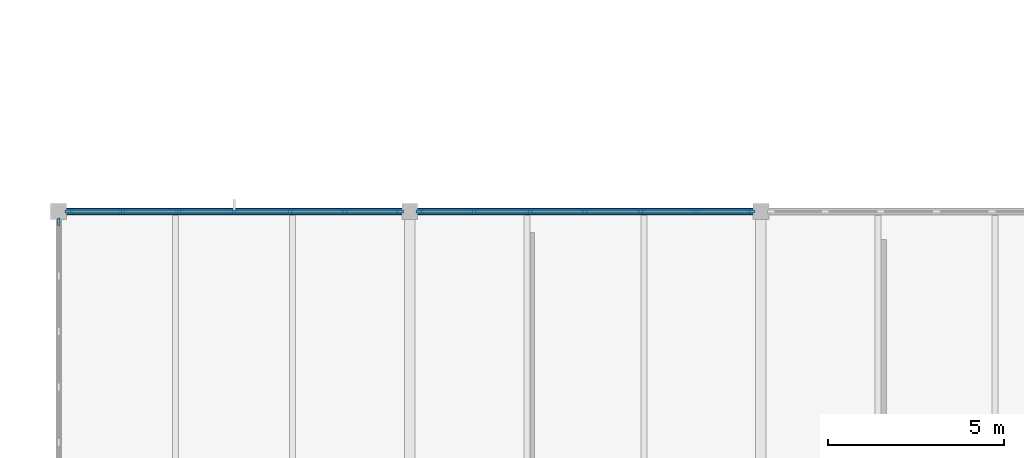
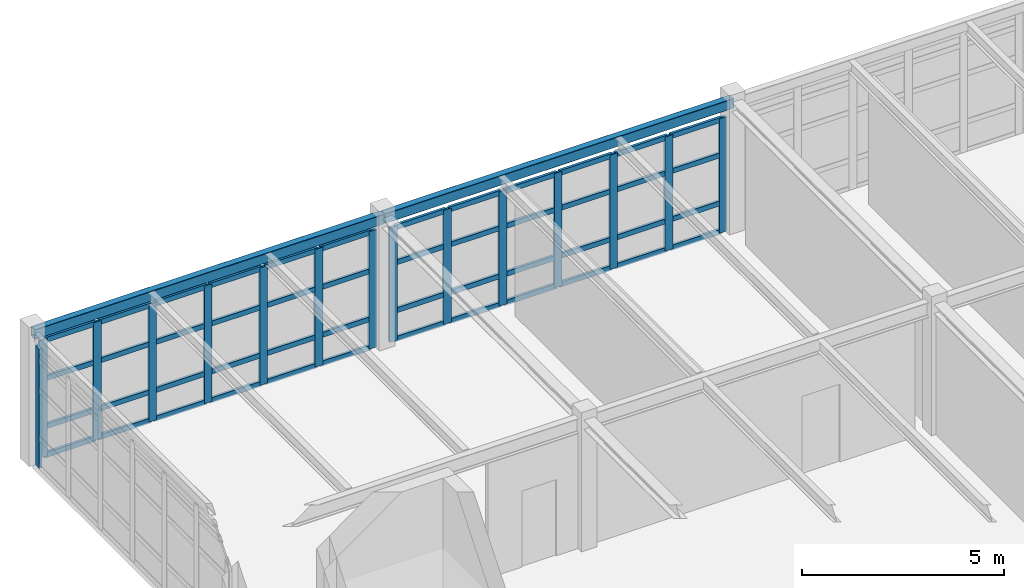
# One storey, part 49 of 122: 63 members, 2 beams, 3 elements without a shape of their own.
"""IFC4 building model written with IfcOpenShell, lengths in metres."""

from ifc_helpers import new_model, si_unit, direction, frame, origin, origin_2d, place, context, subcontext, project, spatial, rectangle, hollow_rectangle, extrude, material, layer, layer_set, material_profile, profile_set, type_object, element, aggregate, save


model = new_model("IFC4")

# Units and contexts
model_context = context("Model", 3, precision=1e-05, world=origin(), true_north=direction((0.0, 1.0)))
body_context = subcontext(model_context, "Body", "Model", "MODEL_VIEW")
ifc_project = project(units=[si_unit("LENGTHUNIT", "METRE"), si_unit("AREAUNIT", "SQUARE_METRE"), si_unit("VOLUMEUNIT", "CUBIC_METRE"), si_unit("PLANEANGLEUNIT", "RADIAN"), si_unit("MASSUNIT", "GRAM", prefix="KILO"), si_unit("THERMODYNAMICTEMPERATUREUNIT", "KELVIN"), si_unit("POWERUNIT", "WATT")], contexts=[model_context])

# Site, building, storey
site_placement = place(None, origin())
site = spatial("IfcSite", under=ifc_project, at=site_placement, CompositionType="ELEMENT")
building_placement = place(site_placement, origin())
building = spatial("IfcBuilding", under=site, at=building_placement, Name="Korenveer Ferry Terminal", CompositionType="ELEMENT")
storey_placement = place(building_placement, frame((0.0, 0.0, 10.199951171875)))
storey = spatial("IfcBuildingStorey", under=building, at=storey_placement, Name="L02", CompositionType="ELEMENT", Elevation=10.199951171875)

# Curtain wall, members
ifc_material_1 = material(Name="Unitised bronze-and-glass curtain wall", Category="glass")
ifc_layer_1 = layer(ifc_material_1, 0.219970703125)
ifc_layer_set_1 = layer_set([ifc_layer_1], Name="Unitised bronze-and-glass curtain wall")
curtain_wall_type_1 = type_object("IfcCurtainWallType", Name="ENV-CW-94", PredefinedType="USERDEFINED", material=ifc_layer_set_1)
curtain_wall_1_placement = place(storey_placement, frame((0.2548828125, 80.0, 0.0)))
curtain_wall_1 = element("IfcCurtainWall", 1, at=curtain_wall_1_placement, inside=storey, type_object=curtain_wall_type_1, Name="Lancet curtain wall CWX-L02-X0-10-Y80-80", ObjectType="UNITISED CURTAIN WALL", PredefinedType="USERDEFINED")
ifc_material_2 = material(Name="Anodised bronze aluminium", Category="aluminium")
ifc_material_profile_1 = material_profile(ifc_material_2, rectangle(XDim=0.074951171875, YDim=0.219970703125, at=origin_2d()), Name="ALU 75x220")
ifc_profile_set_1 = profile_set([ifc_material_profile_1], Name="Anodised bronze aluminium")
member_type_1 = type_object("IfcMemberType", Name="ENV-CWM-75X220", PredefinedType="MULLION", material=ifc_profile_set_1)
member_1_placement = place(storey_placement, frame((0.29248046875, 80.0, 0.0), z_axis=(0.0, 0.0, 1.0), x_axis=(0.0, 1.0, 0.0)))
member_1 = element("IfcMember", 2, at=member_1_placement, type_object=member_type_1, Name="CW-94 mullion 1", PredefinedType="MULLION", context=body_context, shape_type="SweptSolid", body=[
    extrude(rectangle(XDim=0.074951171875, YDim=0.219970703125, at=origin_2d()), origin(), (0.0, 0.0, 1.0), 3.550048828125),
])
member_2_placement = place(storey_placement, frame((1.836669921875, 80.0, 0.0), z_axis=(0.0, 0.0, 1.0), x_axis=(0.0, 1.0, 0.0)))
member_2 = element("IfcMember", 3, at=member_2_placement, type_object=member_type_1, Name="CW-94 mullion 2", PredefinedType="MULLION", context=body_context, shape_type="SweptSolid", body=[
    extrude(rectangle(XDim=0.074951171875, YDim=0.219970703125, at=origin_2d()), origin(), (0.0, 0.0, 1.0), 3.550048828125),
])
member_3_placement = place(storey_placement, frame((3.418212890625, 80.0, 0.0), z_axis=(0.0, 0.0, 1.0), x_axis=(0.0, 1.0, 0.0)))
member_3 = element("IfcMember", 4, at=member_3_placement, type_object=member_type_1, Name="CW-94 mullion 3", PredefinedType="MULLION", context=body_context, shape_type="SweptSolid", body=[
    extrude(rectangle(XDim=0.074951171875, YDim=0.219970703125, at=origin_2d()), origin(), (0.0, 0.0, 1.0), 3.550048828125),
])
member_4_placement = place(storey_placement, frame((5.0, 80.0, 0.0), z_axis=(0.0, 0.0, 1.0), x_axis=(0.0, 1.0, 0.0)))
member_4 = element("IfcMember", 5, at=member_4_placement, type_object=member_type_1, Name="CW-94 mullion 4", PredefinedType="MULLION", context=body_context, shape_type="SweptSolid", body=[
    extrude(rectangle(XDim=0.074951171875, YDim=0.219970703125, at=origin_2d()), origin(), (0.0, 0.0, 1.0), 3.550048828125),
])
member_5_placement = place(storey_placement, frame((6.581787109375, 80.0, 0.0), z_axis=(0.0, 0.0, 1.0), x_axis=(0.0, 1.0, 0.0)))
member_5 = element("IfcMember", 6, at=member_5_placement, type_object=member_type_1, Name="CW-94 mullion 5", PredefinedType="MULLION", context=body_context, shape_type="SweptSolid", body=[
    extrude(rectangle(XDim=0.074951171875, YDim=0.219970703125, at=origin_2d()), origin(), (0.0, 0.0, 1.0), 3.550048828125),
])
member_6_placement = place(storey_placement, frame((8.163330078125, 80.0, 0.0), z_axis=(0.0, 0.0, 1.0), x_axis=(0.0, 1.0, 0.0)))
member_6 = element("IfcMember", 7, at=member_6_placement, type_object=member_type_1, Name="CW-94 mullion 6", PredefinedType="MULLION", context=body_context, shape_type="SweptSolid", body=[
    extrude(rectangle(XDim=0.074951171875, YDim=0.219970703125, at=origin_2d()), origin(), (0.0, 0.0, 1.0), 3.550048828125),
])
member_7_placement = place(storey_placement, frame((9.70751953125, 80.0, 0.0), z_axis=(0.0, 0.0, 1.0), x_axis=(0.0, 1.0, 0.0)))
member_7 = element("IfcMember", 8, at=member_7_placement, type_object=member_type_1, Name="CW-94 mullion 7", PredefinedType="MULLION", context=body_context, shape_type="SweptSolid", body=[
    extrude(rectangle(XDim=0.074951171875, YDim=0.219970703125, at=origin_2d()), origin(), (0.0, 0.0, 1.0), 3.550048828125),
])

ifc_layer_2 = layer(ifc_material_1, 0.219970703125)
ifc_layer_set_2 = layer_set([ifc_layer_2], Name="Unitised bronze-and-glass curtain wall")
curtain_wall_type_2 = type_object("IfcCurtainWallType", Name="ENV-CW-95", PredefinedType="USERDEFINED", material=ifc_layer_set_2)
curtain_wall_2_placement = place(storey_placement, frame((10.2548828125, 80.0, 0.0)))
curtain_wall_2 = element("IfcCurtainWall", 9, at=curtain_wall_2_placement, inside=storey, type_object=curtain_wall_type_2, Name="Lancet curtain wall CWX-L02-X10-20-Y80-80", ObjectType="UNITISED CURTAIN WALL", PredefinedType="USERDEFINED")
member_8_placement = place(storey_placement, frame((10.29248046875, 80.0, 0.0), z_axis=(0.0, 0.0, 1.0), x_axis=(0.0, 1.0, 0.0)))
member_8 = element("IfcMember", 10, at=member_8_placement, type_object=member_type_1, Name="CW-95 mullion 1", PredefinedType="MULLION", context=body_context, shape_type="SweptSolid", body=[
    extrude(rectangle(XDim=0.074951171875, YDim=0.219970703125, at=origin_2d()), origin(), (0.0, 0.0, 1.0), 3.449951171875),
])
member_9_placement = place(storey_placement, frame((11.836669921875, 80.0, 0.0), z_axis=(0.0, 0.0, 1.0), x_axis=(0.0, 1.0, 0.0)))
member_9 = element("IfcMember", 11, at=member_9_placement, type_object=member_type_1, Name="CW-95 mullion 2", PredefinedType="MULLION", context=body_context, shape_type="SweptSolid", body=[
    extrude(rectangle(XDim=0.074951171875, YDim=0.219970703125, at=origin_2d()), origin(), (0.0, 0.0, 1.0), 3.449951171875),
])
member_10_placement = place(storey_placement, frame((13.418212890625, 80.0, 0.0), z_axis=(0.0, 0.0, 1.0), x_axis=(0.0, 1.0, 0.0)))
member_10 = element("IfcMember", 12, at=member_10_placement, type_object=member_type_1, Name="CW-95 mullion 3", PredefinedType="MULLION", context=body_context, shape_type="SweptSolid", body=[
    extrude(rectangle(XDim=0.074951171875, YDim=0.219970703125, at=origin_2d()), origin(), (0.0, 0.0, 1.0), 3.449951171875),
])
member_11_placement = place(storey_placement, frame((15.0, 80.0, 0.0), z_axis=(0.0, 0.0, 1.0), x_axis=(0.0, 1.0, 0.0)))
member_11 = element("IfcMember", 13, at=member_11_placement, type_object=member_type_1, Name="CW-95 mullion 4", PredefinedType="MULLION", context=body_context, shape_type="SweptSolid", body=[
    extrude(rectangle(XDim=0.074951171875, YDim=0.219970703125, at=origin_2d()), origin(), (0.0, 0.0, 1.0), 3.449951171875),
])
member_12_placement = place(storey_placement, frame((16.581787109375, 80.0, 0.0), z_axis=(0.0, 0.0, 1.0), x_axis=(0.0, 1.0, 0.0)))
member_12 = element("IfcMember", 14, at=member_12_placement, type_object=member_type_1, Name="CW-95 mullion 5", PredefinedType="MULLION", context=body_context, shape_type="SweptSolid", body=[
    extrude(rectangle(XDim=0.074951171875, YDim=0.219970703125, at=origin_2d()), origin(), (0.0, 0.0, 1.0), 3.449951171875),
])
member_13_placement = place(storey_placement, frame((18.163330078125, 80.0, 0.0), z_axis=(0.0, 0.0, 1.0), x_axis=(0.0, 1.0, 0.0)))
member_13 = element("IfcMember", 15, at=member_13_placement, type_object=member_type_1, Name="CW-95 mullion 6", PredefinedType="MULLION", context=body_context, shape_type="SweptSolid", body=[
    extrude(rectangle(XDim=0.074951171875, YDim=0.219970703125, at=origin_2d()), origin(), (0.0, 0.0, 1.0), 3.449951171875),
])
member_14_placement = place(storey_placement, frame((19.70751953125, 80.0, 0.0), z_axis=(0.0, 0.0, 1.0), x_axis=(0.0, 1.0, 0.0)))
member_14 = element("IfcMember", 16, at=member_14_placement, type_object=member_type_1, Name="CW-95 mullion 7", PredefinedType="MULLION", context=body_context, shape_type="SweptSolid", body=[
    extrude(rectangle(XDim=0.074951171875, YDim=0.219970703125, at=origin_2d()), origin(), (0.0, 0.0, 1.0), 3.449951171875),
])

# Curtain wall, member
ifc_layer_3 = layer(ifc_material_1, 0.219970703125)
ifc_layer_set_3 = layer_set([ifc_layer_3], Name="Unitised bronze-and-glass curtain wall")
curtain_wall_type_3 = type_object("IfcCurtainWallType", Name="ENV-CW-107", PredefinedType="USERDEFINED", material=ifc_layer_set_3)
curtain_wall_3_placement = place(storey_placement, frame((0.0, 70.2548828125, 0.0)))
curtain_wall_3 = element("IfcCurtainWall", 17, at=curtain_wall_3_placement, inside=storey, type_object=curtain_wall_type_3, Name="Lancet curtain wall CWX-L02-X0-0-Y70-80", ObjectType="UNITISED CURTAIN WALL", PredefinedType="USERDEFINED")
member_15_placement = place(storey_placement, frame((0.0, 79.70751953125, 0.0), z_axis=(0.0, 0.0, 1.0), x_axis=(-1.0, 0.0, 0.0)))
member_15 = element("IfcMember", 18, at=member_15_placement, type_object=member_type_1, Name="CW-107 mullion 7", PredefinedType="MULLION", context=body_context, shape_type="SweptSolid", body=[
    extrude(rectangle(XDim=0.074951171875, YDim=0.219970703125, at=origin_2d()), origin(), (0.0, 0.0, 1.0), 3.60009765625),
])
aggregate(curtain_wall_3, [member_15])

# Member
ifc_material_profile_2 = material_profile(ifc_material_2, rectangle(XDim=0.074951171875, YDim=0.14990234375, at=origin_2d()), Name="ALU 75x150")
ifc_profile_set_2 = profile_set([ifc_material_profile_2], Name="Anodised bronze aluminium")
member_type_2 = type_object("IfcMemberType", Name="ENV-CWT-75X150", PredefinedType="USERDEFINED", material=ifc_profile_set_2)
member_16_placement = place(storey_placement, frame((0.330078125, 80.0, 0.03759765625), z_axis=(1.0, 0.0, 0.0), x_axis=(0.0, 1.0, 0.0)))
member_16 = element("IfcMember", 19, at=member_16_placement, type_object=member_type_2, Name="CW-94 transom 1.1", ObjectType="TRANSOM", PredefinedType="USERDEFINED", context=body_context, shape_type="SweptSolid", body=[
    extrude(rectangle(XDim=0.074951171875, YDim=0.14990234375, at=origin_2d()), origin(), (0.0, 0.0, 1.0), 1.468994140625),
])

member_17_placement = place(storey_placement, frame((0.330078125, 80.0, 0.900146484375), z_axis=(1.0, 0.0, 0.0), x_axis=(0.0, 1.0, 0.0)))
member_17 = element("IfcMember", 20, at=member_17_placement, type_object=member_type_2, Name="CW-94 transom 1.2", ObjectType="TRANSOM", PredefinedType="USERDEFINED", context=body_context, shape_type="SweptSolid", body=[
    extrude(rectangle(XDim=0.074951171875, YDim=0.14990234375, at=origin_2d()), origin(), (0.0, 0.0, 1.0), 1.468994140625),
])

member_18_placement = place(storey_placement, frame((0.330078125, 80.0, 2.35009765625), z_axis=(1.0, 0.0, 0.0), x_axis=(0.0, 1.0, 0.0)))
member_18 = element("IfcMember", 21, at=member_18_placement, type_object=member_type_2, Name="CW-94 transom 1.3", ObjectType="TRANSOM", PredefinedType="USERDEFINED", context=body_context, shape_type="SweptSolid", body=[
    extrude(rectangle(XDim=0.074951171875, YDim=0.14990234375, at=origin_2d()), origin(), (0.0, 0.0, 1.0), 1.468994140625),
])

member_19_placement = place(storey_placement, frame((0.330078125, 80.0, 3.512451171875), z_axis=(1.0, 0.0, 0.0), x_axis=(0.0, 1.0, 0.0)))
member_19 = element("IfcMember", 22, at=member_19_placement, type_object=member_type_2, Name="CW-94 transom 1.4", ObjectType="TRANSOM", PredefinedType="USERDEFINED", context=body_context, shape_type="SweptSolid", body=[
    extrude(rectangle(XDim=0.074951171875, YDim=0.14990234375, at=origin_2d()), origin(), (0.0, 0.0, 1.0), 1.468994140625),
])

member_20_placement = place(storey_placement, frame((1.874267578125, 80.0, 0.03759765625), z_axis=(1.0, 0.0, 0.0), x_axis=(0.0, 1.0, 0.0)))
member_20 = element("IfcMember", 23, at=member_20_placement, type_object=member_type_2, Name="CW-94 transom 2.1", ObjectType="TRANSOM", PredefinedType="USERDEFINED", context=body_context, shape_type="SweptSolid", body=[
    extrude(rectangle(XDim=0.074951171875, YDim=0.14990234375, at=origin_2d()), origin(), (0.0, 0.0, 1.0), 1.506591796875),
])

member_21_placement = place(storey_placement, frame((1.874267578125, 80.0, 0.900146484375), z_axis=(1.0, 0.0, 0.0), x_axis=(0.0, 1.0, 0.0)))
member_21 = element("IfcMember", 24, at=member_21_placement, type_object=member_type_2, Name="CW-94 transom 2.2", ObjectType="TRANSOM", PredefinedType="USERDEFINED", context=body_context, shape_type="SweptSolid", body=[
    extrude(rectangle(XDim=0.074951171875, YDim=0.14990234375, at=origin_2d()), origin(), (0.0, 0.0, 1.0), 1.506591796875),
])

member_22_placement = place(storey_placement, frame((1.874267578125, 80.0, 2.35009765625), z_axis=(1.0, 0.0, 0.0), x_axis=(0.0, 1.0, 0.0)))
member_22 = element("IfcMember", 25, at=member_22_placement, type_object=member_type_2, Name="CW-94 transom 2.3", ObjectType="TRANSOM", PredefinedType="USERDEFINED", context=body_context, shape_type="SweptSolid", body=[
    extrude(rectangle(XDim=0.074951171875, YDim=0.14990234375, at=origin_2d()), origin(), (0.0, 0.0, 1.0), 1.506591796875),
])

member_23_placement = place(storey_placement, frame((1.874267578125, 80.0, 3.512451171875), z_axis=(1.0, 0.0, 0.0), x_axis=(0.0, 1.0, 0.0)))
member_23 = element("IfcMember", 26, at=member_23_placement, type_object=member_type_2, Name="CW-94 transom 2.4", ObjectType="TRANSOM", PredefinedType="USERDEFINED", context=body_context, shape_type="SweptSolid", body=[
    extrude(rectangle(XDim=0.074951171875, YDim=0.14990234375, at=origin_2d()), origin(), (0.0, 0.0, 1.0), 1.506591796875),
])

member_24_placement = place(storey_placement, frame((3.455810546875, 80.0, 0.03759765625), z_axis=(1.0, 0.0, 0.0), x_axis=(0.0, 1.0, 0.0)))
member_24 = element("IfcMember", 27, at=member_24_placement, type_object=member_type_2, Name="CW-94 transom 3.1", ObjectType="TRANSOM", PredefinedType="USERDEFINED", context=body_context, shape_type="SweptSolid", body=[
    extrude(rectangle(XDim=0.074951171875, YDim=0.14990234375, at=origin_2d()), origin(), (0.0, 0.0, 1.0), 1.506591796875),
])

member_25_placement = place(storey_placement, frame((3.455810546875, 80.0, 0.900146484375), z_axis=(1.0, 0.0, 0.0), x_axis=(0.0, 1.0, 0.0)))
member_25 = element("IfcMember", 28, at=member_25_placement, type_object=member_type_2, Name="CW-94 transom 3.2", ObjectType="TRANSOM", PredefinedType="USERDEFINED", context=body_context, shape_type="SweptSolid", body=[
    extrude(rectangle(XDim=0.074951171875, YDim=0.14990234375, at=origin_2d()), origin(), (0.0, 0.0, 1.0), 1.506591796875),
])

member_26_placement = place(storey_placement, frame((3.455810546875, 80.0, 2.35009765625), z_axis=(1.0, 0.0, 0.0), x_axis=(0.0, 1.0, 0.0)))
member_26 = element("IfcMember", 29, at=member_26_placement, type_object=member_type_2, Name="CW-94 transom 3.3", ObjectType="TRANSOM", PredefinedType="USERDEFINED", context=body_context, shape_type="SweptSolid", body=[
    extrude(rectangle(XDim=0.074951171875, YDim=0.14990234375, at=origin_2d()), origin(), (0.0, 0.0, 1.0), 1.506591796875),
])

member_27_placement = place(storey_placement, frame((3.455810546875, 80.0, 3.512451171875), z_axis=(1.0, 0.0, 0.0), x_axis=(0.0, 1.0, 0.0)))
member_27 = element("IfcMember", 30, at=member_27_placement, type_object=member_type_2, Name="CW-94 transom 3.4", ObjectType="TRANSOM", PredefinedType="USERDEFINED", context=body_context, shape_type="SweptSolid", body=[
    extrude(rectangle(XDim=0.074951171875, YDim=0.14990234375, at=origin_2d()), origin(), (0.0, 0.0, 1.0), 1.506591796875),
])

member_28_placement = place(storey_placement, frame((5.03759765625, 80.0, 0.03759765625), z_axis=(1.0, 0.0, 0.0), x_axis=(0.0, 1.0, 0.0)))
member_28 = element("IfcMember", 31, at=member_28_placement, type_object=member_type_2, Name="CW-94 transom 4.1", ObjectType="TRANSOM", PredefinedType="USERDEFINED", context=body_context, shape_type="SweptSolid", body=[
    extrude(rectangle(XDim=0.074951171875, YDim=0.14990234375, at=origin_2d()), origin(), (0.0, 0.0, 1.0), 1.506591796875),
])

member_29_placement = place(storey_placement, frame((5.03759765625, 80.0, 0.900146484375), z_axis=(1.0, 0.0, 0.0), x_axis=(0.0, 1.0, 0.0)))
member_29 = element("IfcMember", 32, at=member_29_placement, type_object=member_type_2, Name="CW-94 transom 4.2", ObjectType="TRANSOM", PredefinedType="USERDEFINED", context=body_context, shape_type="SweptSolid", body=[
    extrude(rectangle(XDim=0.074951171875, YDim=0.14990234375, at=origin_2d()), origin(), (0.0, 0.0, 1.0), 1.506591796875),
])

member_30_placement = place(storey_placement, frame((5.03759765625, 80.0, 2.35009765625), z_axis=(1.0, 0.0, 0.0), x_axis=(0.0, 1.0, 0.0)))
member_30 = element("IfcMember", 33, at=member_30_placement, type_object=member_type_2, Name="CW-94 transom 4.3", ObjectType="TRANSOM", PredefinedType="USERDEFINED", context=body_context, shape_type="SweptSolid", body=[
    extrude(rectangle(XDim=0.074951171875, YDim=0.14990234375, at=origin_2d()), origin(), (0.0, 0.0, 1.0), 1.506591796875),
])

member_31_placement = place(storey_placement, frame((5.03759765625, 80.0, 3.512451171875), z_axis=(1.0, 0.0, 0.0), x_axis=(0.0, 1.0, 0.0)))
member_31 = element("IfcMember", 34, at=member_31_placement, type_object=member_type_2, Name="CW-94 transom 4.4", ObjectType="TRANSOM", PredefinedType="USERDEFINED", context=body_context, shape_type="SweptSolid", body=[
    extrude(rectangle(XDim=0.074951171875, YDim=0.14990234375, at=origin_2d()), origin(), (0.0, 0.0, 1.0), 1.506591796875),
])

member_32_placement = place(storey_placement, frame((6.619140625, 80.0, 0.03759765625), z_axis=(1.0, 0.0, 0.0), x_axis=(0.0, 1.0, 0.0)))
member_32 = element("IfcMember", 35, at=member_32_placement, type_object=member_type_2, Name="CW-94 transom 5.1", ObjectType="TRANSOM", PredefinedType="USERDEFINED", context=body_context, shape_type="SweptSolid", body=[
    extrude(rectangle(XDim=0.074951171875, YDim=0.14990234375, at=origin_2d()), origin(), (0.0, 0.0, 1.0), 1.506591796875),
])

member_33_placement = place(storey_placement, frame((6.619140625, 80.0, 0.900146484375), z_axis=(1.0, 0.0, 0.0), x_axis=(0.0, 1.0, 0.0)))
member_33 = element("IfcMember", 36, at=member_33_placement, type_object=member_type_2, Name="CW-94 transom 5.2", ObjectType="TRANSOM", PredefinedType="USERDEFINED", context=body_context, shape_type="SweptSolid", body=[
    extrude(rectangle(XDim=0.074951171875, YDim=0.14990234375, at=origin_2d()), origin(), (0.0, 0.0, 1.0), 1.506591796875),
])

member_34_placement = place(storey_placement, frame((6.619140625, 80.0, 2.35009765625), z_axis=(1.0, 0.0, 0.0), x_axis=(0.0, 1.0, 0.0)))
member_34 = element("IfcMember", 37, at=member_34_placement, type_object=member_type_2, Name="CW-94 transom 5.3", ObjectType="TRANSOM", PredefinedType="USERDEFINED", context=body_context, shape_type="SweptSolid", body=[
    extrude(rectangle(XDim=0.074951171875, YDim=0.14990234375, at=origin_2d()), origin(), (0.0, 0.0, 1.0), 1.506591796875),
])

member_35_placement = place(storey_placement, frame((6.619140625, 80.0, 3.512451171875), z_axis=(1.0, 0.0, 0.0), x_axis=(0.0, 1.0, 0.0)))
member_35 = element("IfcMember", 38, at=member_35_placement, type_object=member_type_2, Name="CW-94 transom 5.4", ObjectType="TRANSOM", PredefinedType="USERDEFINED", context=body_context, shape_type="SweptSolid", body=[
    extrude(rectangle(XDim=0.074951171875, YDim=0.14990234375, at=origin_2d()), origin(), (0.0, 0.0, 1.0), 1.506591796875),
])

member_36_placement = place(storey_placement, frame((8.200927734375, 80.0, 0.03759765625), z_axis=(1.0, 0.0, 0.0), x_axis=(0.0, 1.0, 0.0)))
member_36 = element("IfcMember", 39, at=member_36_placement, type_object=member_type_2, Name="CW-94 transom 6.1", ObjectType="TRANSOM", PredefinedType="USERDEFINED", context=body_context, shape_type="SweptSolid", body=[
    extrude(rectangle(XDim=0.074951171875, YDim=0.14990234375, at=origin_2d()), origin(), (0.0, 0.0, 1.0), 1.468994140625),
])

member_37_placement = place(storey_placement, frame((8.200927734375, 80.0, 0.900146484375), z_axis=(1.0, 0.0, 0.0), x_axis=(0.0, 1.0, 0.0)))
member_37 = element("IfcMember", 40, at=member_37_placement, type_object=member_type_2, Name="CW-94 transom 6.2", ObjectType="TRANSOM", PredefinedType="USERDEFINED", context=body_context, shape_type="SweptSolid", body=[
    extrude(rectangle(XDim=0.074951171875, YDim=0.14990234375, at=origin_2d()), origin(), (0.0, 0.0, 1.0), 1.468994140625),
])

member_38_placement = place(storey_placement, frame((8.200927734375, 80.0, 2.35009765625), z_axis=(1.0, 0.0, 0.0), x_axis=(0.0, 1.0, 0.0)))
member_38 = element("IfcMember", 41, at=member_38_placement, type_object=member_type_2, Name="CW-94 transom 6.3", ObjectType="TRANSOM", PredefinedType="USERDEFINED", context=body_context, shape_type="SweptSolid", body=[
    extrude(rectangle(XDim=0.074951171875, YDim=0.14990234375, at=origin_2d()), origin(), (0.0, 0.0, 1.0), 1.468994140625),
])

member_39_placement = place(storey_placement, frame((8.200927734375, 80.0, 3.512451171875), z_axis=(1.0, 0.0, 0.0), x_axis=(0.0, 1.0, 0.0)))
member_39 = element("IfcMember", 42, at=member_39_placement, type_object=member_type_2, Name="CW-94 transom 6.4", ObjectType="TRANSOM", PredefinedType="USERDEFINED", context=body_context, shape_type="SweptSolid", body=[
    extrude(rectangle(XDim=0.074951171875, YDim=0.14990234375, at=origin_2d()), origin(), (0.0, 0.0, 1.0), 1.468994140625),
])

aggregate(curtain_wall_1, [member_1, member_2, member_3, member_4, member_5, member_6, member_7, member_16, member_17, member_18, member_19, member_20, member_21, member_22, member_23, member_24, member_25, member_26, member_27, member_28, member_29, member_30, member_31, member_32, member_33, member_34, member_35, member_36, member_37, member_38, member_39])

member_40_placement = place(storey_placement, frame((10.330078125, 80.0, 0.03759765625), z_axis=(1.0, 0.0, 0.0), x_axis=(0.0, 1.0, 0.0)))
member_40 = element("IfcMember", 43, at=member_40_placement, type_object=member_type_2, Name="CW-95 transom 1.1", ObjectType="TRANSOM", PredefinedType="USERDEFINED", context=body_context, shape_type="SweptSolid", body=[
    extrude(rectangle(XDim=0.074951171875, YDim=0.14990234375, at=origin_2d()), origin(), (0.0, 0.0, 1.0), 1.468994140625),
])

member_41_placement = place(storey_placement, frame((10.330078125, 80.0, 0.900146484375), z_axis=(1.0, 0.0, 0.0), x_axis=(0.0, 1.0, 0.0)))
member_41 = element("IfcMember", 44, at=member_41_placement, type_object=member_type_2, Name="CW-95 transom 1.2", ObjectType="TRANSOM", PredefinedType="USERDEFINED", context=body_context, shape_type="SweptSolid", body=[
    extrude(rectangle(XDim=0.074951171875, YDim=0.14990234375, at=origin_2d()), origin(), (0.0, 0.0, 1.0), 1.468994140625),
])

member_42_placement = place(storey_placement, frame((10.330078125, 80.0, 2.35009765625), z_axis=(1.0, 0.0, 0.0), x_axis=(0.0, 1.0, 0.0)))
member_42 = element("IfcMember", 45, at=member_42_placement, type_object=member_type_2, Name="CW-95 transom 1.3", ObjectType="TRANSOM", PredefinedType="USERDEFINED", context=body_context, shape_type="SweptSolid", body=[
    extrude(rectangle(XDim=0.074951171875, YDim=0.14990234375, at=origin_2d()), origin(), (0.0, 0.0, 1.0), 1.468994140625),
])

member_43_placement = place(storey_placement, frame((10.330078125, 80.0, 3.41259765625), z_axis=(1.0, 0.0, 0.0), x_axis=(0.0, 1.0, 0.0)))
member_43 = element("IfcMember", 46, at=member_43_placement, type_object=member_type_2, Name="CW-95 transom 1.4", ObjectType="TRANSOM", PredefinedType="USERDEFINED", context=body_context, shape_type="SweptSolid", body=[
    extrude(rectangle(XDim=0.074951171875, YDim=0.14990234375, at=origin_2d()), origin(), (0.0, 0.0, 1.0), 1.468994140625),
])

member_44_placement = place(storey_placement, frame((11.874267578125, 80.0, 0.03759765625), z_axis=(1.0, 0.0, 0.0), x_axis=(0.0, 1.0, 0.0)))
member_44 = element("IfcMember", 47, at=member_44_placement, type_object=member_type_2, Name="CW-95 transom 2.1", ObjectType="TRANSOM", PredefinedType="USERDEFINED", context=body_context, shape_type="SweptSolid", body=[
    extrude(rectangle(XDim=0.074951171875, YDim=0.14990234375, at=origin_2d()), origin(), (0.0, 0.0, 1.0), 1.506591796875),
])

member_45_placement = place(storey_placement, frame((11.874267578125, 80.0, 0.900146484375), z_axis=(1.0, 0.0, 0.0), x_axis=(0.0, 1.0, 0.0)))
member_45 = element("IfcMember", 48, at=member_45_placement, type_object=member_type_2, Name="CW-95 transom 2.2", ObjectType="TRANSOM", PredefinedType="USERDEFINED", context=body_context, shape_type="SweptSolid", body=[
    extrude(rectangle(XDim=0.074951171875, YDim=0.14990234375, at=origin_2d()), origin(), (0.0, 0.0, 1.0), 1.506591796875),
])

member_46_placement = place(storey_placement, frame((11.874267578125, 80.0, 2.35009765625), z_axis=(1.0, 0.0, 0.0), x_axis=(0.0, 1.0, 0.0)))
member_46 = element("IfcMember", 49, at=member_46_placement, type_object=member_type_2, Name="CW-95 transom 2.3", ObjectType="TRANSOM", PredefinedType="USERDEFINED", context=body_context, shape_type="SweptSolid", body=[
    extrude(rectangle(XDim=0.074951171875, YDim=0.14990234375, at=origin_2d()), origin(), (0.0, 0.0, 1.0), 1.506591796875),
])

member_47_placement = place(storey_placement, frame((11.874267578125, 80.0, 3.41259765625), z_axis=(1.0, 0.0, 0.0), x_axis=(0.0, 1.0, 0.0)))
member_47 = element("IfcMember", 50, at=member_47_placement, type_object=member_type_2, Name="CW-95 transom 2.4", ObjectType="TRANSOM", PredefinedType="USERDEFINED", context=body_context, shape_type="SweptSolid", body=[
    extrude(rectangle(XDim=0.074951171875, YDim=0.14990234375, at=origin_2d()), origin(), (0.0, 0.0, 1.0), 1.506591796875),
])

member_48_placement = place(storey_placement, frame((13.455810546875, 80.0, 0.03759765625), z_axis=(1.0, 0.0, 0.0), x_axis=(0.0, 1.0, 0.0)))
member_48 = element("IfcMember", 51, at=member_48_placement, type_object=member_type_2, Name="CW-95 transom 3.1", ObjectType="TRANSOM", PredefinedType="USERDEFINED", context=body_context, shape_type="SweptSolid", body=[
    extrude(rectangle(XDim=0.074951171875, YDim=0.14990234375, at=origin_2d()), origin(), (0.0, 0.0, 1.0), 1.506591796875),
])

member_49_placement = place(storey_placement, frame((13.455810546875, 80.0, 0.900146484375), z_axis=(1.0, 0.0, 0.0), x_axis=(0.0, 1.0, 0.0)))
member_49 = element("IfcMember", 52, at=member_49_placement, type_object=member_type_2, Name="CW-95 transom 3.2", ObjectType="TRANSOM", PredefinedType="USERDEFINED", context=body_context, shape_type="SweptSolid", body=[
    extrude(rectangle(XDim=0.074951171875, YDim=0.14990234375, at=origin_2d()), origin(), (0.0, 0.0, 1.0), 1.506591796875),
])

member_50_placement = place(storey_placement, frame((13.455810546875, 80.0, 2.35009765625), z_axis=(1.0, 0.0, 0.0), x_axis=(0.0, 1.0, 0.0)))
member_50 = element("IfcMember", 53, at=member_50_placement, type_object=member_type_2, Name="CW-95 transom 3.3", ObjectType="TRANSOM", PredefinedType="USERDEFINED", context=body_context, shape_type="SweptSolid", body=[
    extrude(rectangle(XDim=0.074951171875, YDim=0.14990234375, at=origin_2d()), origin(), (0.0, 0.0, 1.0), 1.506591796875),
])

member_51_placement = place(storey_placement, frame((13.455810546875, 80.0, 3.41259765625), z_axis=(1.0, 0.0, 0.0), x_axis=(0.0, 1.0, 0.0)))
member_51 = element("IfcMember", 54, at=member_51_placement, type_object=member_type_2, Name="CW-95 transom 3.4", ObjectType="TRANSOM", PredefinedType="USERDEFINED", context=body_context, shape_type="SweptSolid", body=[
    extrude(rectangle(XDim=0.074951171875, YDim=0.14990234375, at=origin_2d()), origin(), (0.0, 0.0, 1.0), 1.506591796875),
])

member_52_placement = place(storey_placement, frame((15.03759765625, 80.0, 0.03759765625), z_axis=(1.0, 0.0, 0.0), x_axis=(0.0, 1.0, 0.0)))
member_52 = element("IfcMember", 55, at=member_52_placement, type_object=member_type_2, Name="CW-95 transom 4.1", ObjectType="TRANSOM", PredefinedType="USERDEFINED", context=body_context, shape_type="SweptSolid", body=[
    extrude(rectangle(XDim=0.074951171875, YDim=0.14990234375, at=origin_2d()), origin(), (0.0, 0.0, 1.0), 1.506591796875),
])

member_53_placement = place(storey_placement, frame((15.03759765625, 80.0, 0.900146484375), z_axis=(1.0, 0.0, 0.0), x_axis=(0.0, 1.0, 0.0)))
member_53 = element("IfcMember", 56, at=member_53_placement, type_object=member_type_2, Name="CW-95 transom 4.2", ObjectType="TRANSOM", PredefinedType="USERDEFINED", context=body_context, shape_type="SweptSolid", body=[
    extrude(rectangle(XDim=0.074951171875, YDim=0.14990234375, at=origin_2d()), origin(), (0.0, 0.0, 1.0), 1.506591796875),
])

member_54_placement = place(storey_placement, frame((15.03759765625, 80.0, 2.35009765625), z_axis=(1.0, 0.0, 0.0), x_axis=(0.0, 1.0, 0.0)))
member_54 = element("IfcMember", 57, at=member_54_placement, type_object=member_type_2, Name="CW-95 transom 4.3", ObjectType="TRANSOM", PredefinedType="USERDEFINED", context=body_context, shape_type="SweptSolid", body=[
    extrude(rectangle(XDim=0.074951171875, YDim=0.14990234375, at=origin_2d()), origin(), (0.0, 0.0, 1.0), 1.506591796875),
])

member_55_placement = place(storey_placement, frame((15.03759765625, 80.0, 3.41259765625), z_axis=(1.0, 0.0, 0.0), x_axis=(0.0, 1.0, 0.0)))
member_55 = element("IfcMember", 58, at=member_55_placement, type_object=member_type_2, Name="CW-95 transom 4.4", ObjectType="TRANSOM", PredefinedType="USERDEFINED", context=body_context, shape_type="SweptSolid", body=[
    extrude(rectangle(XDim=0.074951171875, YDim=0.14990234375, at=origin_2d()), origin(), (0.0, 0.0, 1.0), 1.506591796875),
])

member_56_placement = place(storey_placement, frame((16.619140625, 80.0, 0.03759765625), z_axis=(1.0, 0.0, 0.0), x_axis=(0.0, 1.0, 0.0)))
member_56 = element("IfcMember", 59, at=member_56_placement, type_object=member_type_2, Name="CW-95 transom 5.1", ObjectType="TRANSOM", PredefinedType="USERDEFINED", context=body_context, shape_type="SweptSolid", body=[
    extrude(rectangle(XDim=0.074951171875, YDim=0.14990234375, at=origin_2d()), origin(), (0.0, 0.0, 1.0), 1.506591796875),
])

member_57_placement = place(storey_placement, frame((16.619140625, 80.0, 0.900146484375), z_axis=(1.0, 0.0, 0.0), x_axis=(0.0, 1.0, 0.0)))
member_57 = element("IfcMember", 60, at=member_57_placement, type_object=member_type_2, Name="CW-95 transom 5.2", ObjectType="TRANSOM", PredefinedType="USERDEFINED", context=body_context, shape_type="SweptSolid", body=[
    extrude(rectangle(XDim=0.074951171875, YDim=0.14990234375, at=origin_2d()), origin(), (0.0, 0.0, 1.0), 1.506591796875),
])

member_58_placement = place(storey_placement, frame((16.619140625, 80.0, 2.35009765625), z_axis=(1.0, 0.0, 0.0), x_axis=(0.0, 1.0, 0.0)))
member_58 = element("IfcMember", 61, at=member_58_placement, type_object=member_type_2, Name="CW-95 transom 5.3", ObjectType="TRANSOM", PredefinedType="USERDEFINED", context=body_context, shape_type="SweptSolid", body=[
    extrude(rectangle(XDim=0.074951171875, YDim=0.14990234375, at=origin_2d()), origin(), (0.0, 0.0, 1.0), 1.506591796875),
])

member_59_placement = place(storey_placement, frame((16.619140625, 80.0, 3.41259765625), z_axis=(1.0, 0.0, 0.0), x_axis=(0.0, 1.0, 0.0)))
member_59 = element("IfcMember", 62, at=member_59_placement, type_object=member_type_2, Name="CW-95 transom 5.4", ObjectType="TRANSOM", PredefinedType="USERDEFINED", context=body_context, shape_type="SweptSolid", body=[
    extrude(rectangle(XDim=0.074951171875, YDim=0.14990234375, at=origin_2d()), origin(), (0.0, 0.0, 1.0), 1.506591796875),
])

member_60_placement = place(storey_placement, frame((18.200927734375, 80.0, 0.03759765625), z_axis=(1.0, 0.0, 0.0), x_axis=(0.0, 1.0, 0.0)))
member_60 = element("IfcMember", 63, at=member_60_placement, type_object=member_type_2, Name="CW-95 transom 6.1", ObjectType="TRANSOM", PredefinedType="USERDEFINED", context=body_context, shape_type="SweptSolid", body=[
    extrude(rectangle(XDim=0.074951171875, YDim=0.14990234375, at=origin_2d()), origin(), (0.0, 0.0, 1.0), 1.468994140625),
])

member_61_placement = place(storey_placement, frame((18.200927734375, 80.0, 0.900146484375), z_axis=(1.0, 0.0, 0.0), x_axis=(0.0, 1.0, 0.0)))
member_61 = element("IfcMember", 64, at=member_61_placement, type_object=member_type_2, Name="CW-95 transom 6.2", ObjectType="TRANSOM", PredefinedType="USERDEFINED", context=body_context, shape_type="SweptSolid", body=[
    extrude(rectangle(XDim=0.074951171875, YDim=0.14990234375, at=origin_2d()), origin(), (0.0, 0.0, 1.0), 1.468994140625),
])

member_62_placement = place(storey_placement, frame((18.200927734375, 80.0, 2.35009765625), z_axis=(1.0, 0.0, 0.0), x_axis=(0.0, 1.0, 0.0)))
member_62 = element("IfcMember", 65, at=member_62_placement, type_object=member_type_2, Name="CW-95 transom 6.3", ObjectType="TRANSOM", PredefinedType="USERDEFINED", context=body_context, shape_type="SweptSolid", body=[
    extrude(rectangle(XDim=0.074951171875, YDim=0.14990234375, at=origin_2d()), origin(), (0.0, 0.0, 1.0), 1.468994140625),
])

member_63_placement = place(storey_placement, frame((18.200927734375, 80.0, 3.41259765625), z_axis=(1.0, 0.0, 0.0), x_axis=(0.0, 1.0, 0.0)))
member_63 = element("IfcMember", 66, at=member_63_placement, type_object=member_type_2, Name="CW-95 transom 6.4", ObjectType="TRANSOM", PredefinedType="USERDEFINED", context=body_context, shape_type="SweptSolid", body=[
    extrude(rectangle(XDim=0.074951171875, YDim=0.14990234375, at=origin_2d()), origin(), (0.0, 0.0, 1.0), 1.468994140625),
])

aggregate(curtain_wall_2, [member_8, member_9, member_10, member_11, member_12, member_13, member_14, member_40, member_41, member_42, member_43, member_44, member_45, member_46, member_47, member_48, member_49, member_50, member_51, member_52, member_53, member_54, member_55, member_56, member_57, member_58, member_59, member_60, member_61, member_62, member_63])

# Beams
ifc_material_3 = material(Name="Steel S355", Category="steel")
ifc_material_profile_3 = material_profile(ifc_material_3, hollow_rectangle(XDim=0.199951171875, YDim=0.300048828125, WallThickness=0.012451171875, InnerFilletRadius=0.012451171875, OuterFilletRadius=0.018798828125, at=origin_2d()), Name="RHS 300x200x12.5")
ifc_profile_set_3 = profile_set([ifc_material_profile_3], Name="Steel S355")
beam_type = type_object("IfcBeamType", Name="STR-SPD-RHS300", PredefinedType="SPANDREL", material=ifc_profile_set_3)
for number, where, z_axis, x_axis, name in (
    (67, (0.02001953125, 80.0, 3.830078125), (1.0, 0.0, 0.0), (0.0, 1.0, 0.0), "Primary X girder BMX-L03-X0-10-Y80"),
    (68, (10.02001953125, 80.0, 3.830078125), (1.0, 0.0, 0.0), (0.0, 1.0, 0.0), "Primary X girder BMX-L03-X10-20-Y80"),
):
    element("IfcBeam", number, at=place(storey_placement, frame(where, z_axis=z_axis, x_axis=x_axis)), inside=storey, type_object=beam_type, Name=name, PredefinedType="SPANDREL", context=body_context, shape_type="SweptSolid", body=[
        extrude(hollow_rectangle(XDim=0.199951171875, YDim=0.300048828125, WallThickness=0.012451171875, InnerFilletRadius=0.012451171875, OuterFilletRadius=0.018798828125, at=origin_2d()), origin(), (0.0, 0.0, 1.0), 9.9599609375),
    ])

save(model, "model.ifc")
